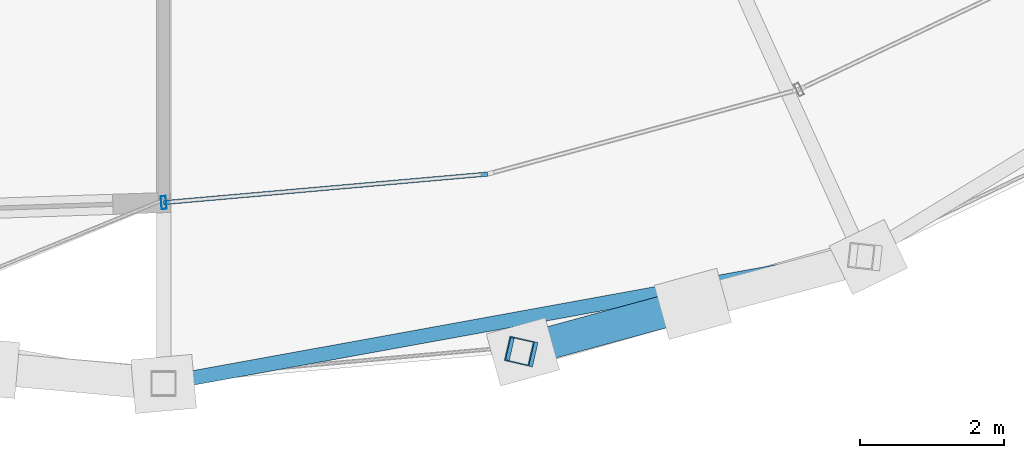
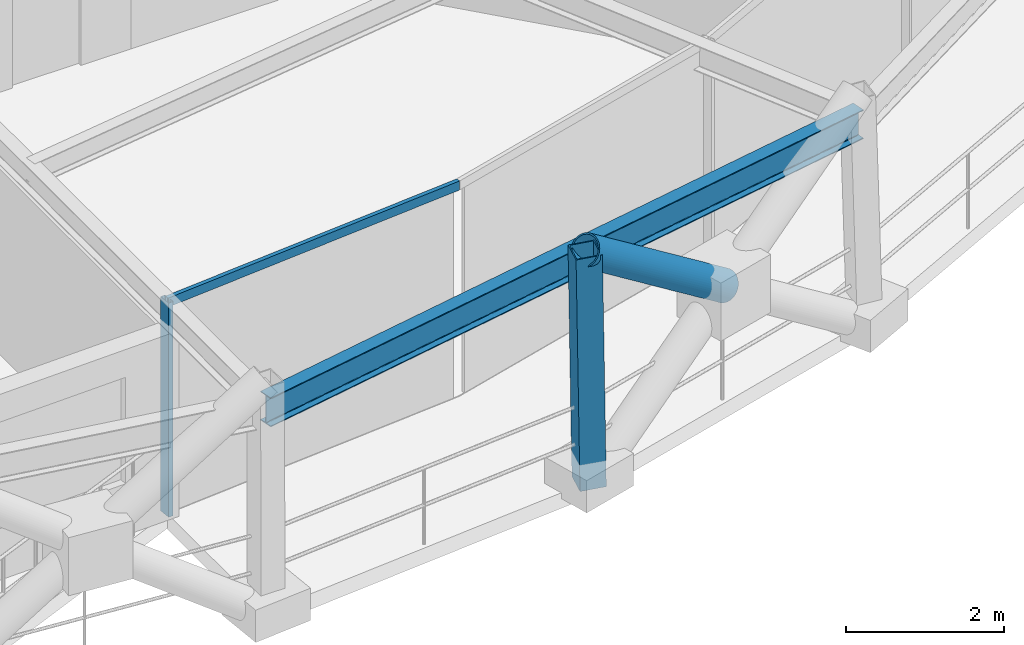
# One storey, part 2 of 17: 4 members, 1 beam, 1 element without a shape of its own.
"""IFC4 building model written with IfcOpenShell, lengths in metres."""

from ifc_helpers import new_model, si_unit, direction, frame, origin, origin_2d, place, context, subcontext, project, spatial, hollow_rectangle, hollow_circle, i_section, extrude, material, layer, layer_set, material_profile, profile_set, type_object, element, aggregate, save


model = new_model("IFC4")

# Units and contexts
model_context = context("Model", 3, precision=1e-05, world=origin(), true_north=direction((0.0, 1.0)))
body_context = subcontext(model_context, "Body", "Model", "MODEL_VIEW")
ifc_project = project(units=[si_unit("LENGTHUNIT", "METRE"), si_unit("AREAUNIT", "SQUARE_METRE"), si_unit("VOLUMEUNIT", "CUBIC_METRE"), si_unit("PLANEANGLEUNIT", "RADIAN"), si_unit("MASSUNIT", "GRAM", prefix="KILO")], contexts=[model_context])

# Site, building, storey
site_placement = place(None, origin())
site = spatial("IfcSite", under=ifc_project, at=site_placement, CompositionType="ELEMENT")
building_placement = place(site_placement, origin())
building = spatial("IfcBuilding", under=site, at=building_placement, Name="Veldorina Hangang Commons", CompositionType="ELEMENT")
storey_placement = place(building_placement, frame((0.0, 0.0, 214.800048828125)))
storey = spatial("IfcBuildingStorey", under=building, at=storey_placement, Name="L55", CompositionType="ELEMENT", Elevation=214.800048828125)

# Beam
ifc_material_1 = material(Name="Steel SM355-TMC", Category="steel")
ifc_material_profile_1 = material_profile(ifc_material_1, i_section(OverallWidth=0.199951171875, OverallDepth=0.449951171875, WebThickness=0.009033203125, FlangeThickness=0.013916015625, FilletRadius=0.01611328125, at=origin_2d()), Name="H-450x200x9x14")
ifc_profile_set_1 = profile_set([ifc_material_profile_1], Name="Steel SM355-TMC")
beam_type = type_object("IfcBeamType", Name="BM-RB450", PredefinedType="BEAM", material=ifc_profile_set_1)
beam_placement = place(storey_placement, frame((32.0, 0.831787109375, 3.135009765625), z_axis=(0.983888120108, 0.178785254173, 0.0), x_axis=(-0.178785254173, 0.983888120108, 0.0)))
element("IfcBeam", 1, at=beam_placement, inside=storey, type_object=beam_type, Name="L55 perimeter hoop ring beam 24", PredefinedType="BEAM", context=body_context, shape_type="SweptSolid", body=[
    extrude(i_section(OverallWidth=0.199951171875, OverallDepth=0.449951171875, WebThickness=0.009033203125, FlangeThickness=0.013916015625, FilletRadius=0.01611328125, at=origin_2d()), origin(), (0.0, 0.0, 1.0), 9.86474609375),
])

# Curtain wall, members
ifc_material_2 = material(Name="Glass Low-E Selective", Category="glass")
ifc_layer = layer(ifc_material_2, 0.179931640625)
ifc_layer_set = layer_set([ifc_layer], Name="Glass Low-E Selective")
curtain_wall_type = type_object("IfcCurtainWallType", Name="CW-SYS-Z3", PredefinedType="NOTDEFINED", material=ifc_layer_set)
curtain_wall_placement = place(storey_placement, origin())
curtain_wall = element("IfcCurtainWall", 2, at=curtain_wall_placement, inside=storey, type_object=curtain_wall_type, Name="L55 unitised curtain wall CW-L55-R1", PredefinedType="NOTDEFINED")
ifc_material_3 = material(Name="Aluminium Anodized AA6063-T6", Category="aluminium")
ifc_material_profile_2 = material_profile(ifc_material_3, hollow_rectangle(XDim=0.070068359375, YDim=0.179931640625, WallThickness=0.00390625, at=origin_2d()), Name="ALU-RHS-180x70x4")
ifc_profile_set_2 = profile_set([ifc_material_profile_2], Name="Aluminium Anodized AA6063-T6")
member_type_1 = type_object("IfcMemberType", Name="CW-MUL-180", PredefinedType="MULLION", material=ifc_profile_set_2)
member_1_placement = place(storey_placement, frame((32.0, 3.34130859375, 0.0), z_axis=(0.0, 0.0, 1.0), x_axis=(0.996132075699, 0.087868582349, 0.0)))
member_1 = element("IfcMember", 3, at=member_1_placement, type_object=member_type_1, Name="CW-L55-R1 vertical mullion 1", PredefinedType="MULLION", context=body_context, shape_type="SweptSolid", body=[
    extrude(hollow_rectangle(XDim=0.070068359375, YDim=0.179931640625, WallThickness=0.00390625, at=origin_2d()), origin(), (0.0, 0.0, 1.0), 3.320068359375),
])
ifc_material_profile_3 = material_profile(ifc_material_3, hollow_rectangle(XDim=0.06005859375, YDim=0.139892578125, WallThickness=0.00341796875, at=origin_2d()), Name="ALU-RHS-140x60x3.5")
ifc_profile_set_3 = profile_set([ifc_material_profile_3], Name="Aluminium Anodized AA6063-T6")
member_type_2 = type_object("IfcMemberType", Name="CW-TRN-140", PredefinedType="USERDEFINED", material=ifc_profile_set_3)
member_2_placement = place(storey_placement, frame((32.0, 3.34130859375, 3.280029296875), z_axis=(0.996132771532, 0.0878606936, 0.0), x_axis=(-0.0878606936, 0.996132771532, 0.0)))
member_2 = element("IfcMember", 4, at=member_2_placement, type_object=member_type_2, Name="CW-L55-R1 facet 1 transom 1", ObjectType="TRANSOM", PredefinedType="USERDEFINED", context=body_context, shape_type="SweptSolid", body=[
    extrude(hollow_rectangle(XDim=0.06005859375, YDim=0.139892578125, WallThickness=0.00341796875, at=origin_2d()), origin(), (0.0, 0.0, 1.0), 4.518310546875),
])
aggregate(curtain_wall, [member_1, member_2])

# Members
ifc_material_profile_4 = material_profile(ifc_material_1, hollow_circle(Radius=0.22509765625, WallThickness=0.02197265625, at=origin_2d()), Name="CHS-450x22")
ifc_profile_set_4 = profile_set([ifc_material_profile_4], Name="Steel SM355-TMC")
member_type_3 = type_object("IfcMemberType", Name="DG-CHS450", PredefinedType="BRACE", material=ifc_profile_set_4)
member_3_placement = place(storey_placement, frame((39.35400390625, 1.934814453125, 1.80859375), z_axis=(-0.784393889643, -0.213442134107, 0.58238190329), x_axis=(0.262563798046, -0.964914634543, 0.0)))
element("IfcMember", 5, at=member_3_placement, inside=storey, type_object=member_type_3, Name="L55 split perimeter diagrid upper brace 26", PredefinedType="BRACE", context=body_context, shape_type="SweptSolid", body=[
    extrude(hollow_circle(Radius=0.22509765625, WallThickness=0.02197265625, at=origin_2d()), origin(), (0.0, 0.0, 1.0), 3.07568359375),
])
ifc_material_profile_5 = material_profile(ifc_material_1, hollow_rectangle(XDim=0.35009765625, YDim=0.35009765625, WallThickness=0.01611328125, at=origin_2d()), Name="SHS-350x350x16")
ifc_profile_set_5 = profile_set([ifc_material_profile_5], Name="Steel SM355-TMC")
member_type_4 = type_object("IfcMemberType", Name="STR-SHS350", PredefinedType="STRUT", material=ifc_profile_set_5)
member_4_placement = place(storey_placement, frame((36.992431640625, 1.2666015625, 0.0), z_axis=(-0.014172797621, 0.003254996583, 0.999894262812), x_axis=(-0.223837652223, -0.974626444053, 0.0)))
element("IfcMember", 6, at=member_4_placement, inside=storey, type_object=member_type_4, Name="L55 perimeter ring node post 25", PredefinedType="STRUT", context=body_context, shape_type="SweptSolid", body=[
    extrude(hollow_rectangle(XDim=0.35009765625, YDim=0.35009765625, WallThickness=0.01611328125, at=origin_2d()), origin(), (0.0, 0.0, 1.0), 3.600341796875),
])

save(model, "model.ifc")
